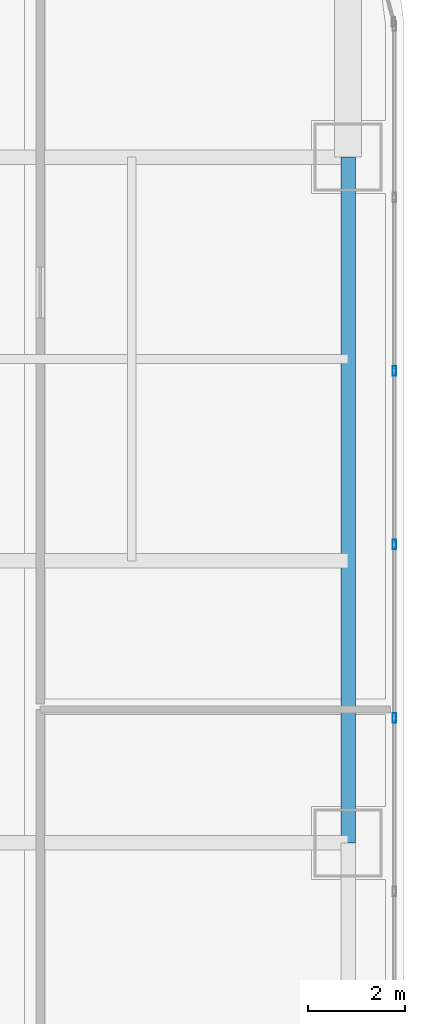
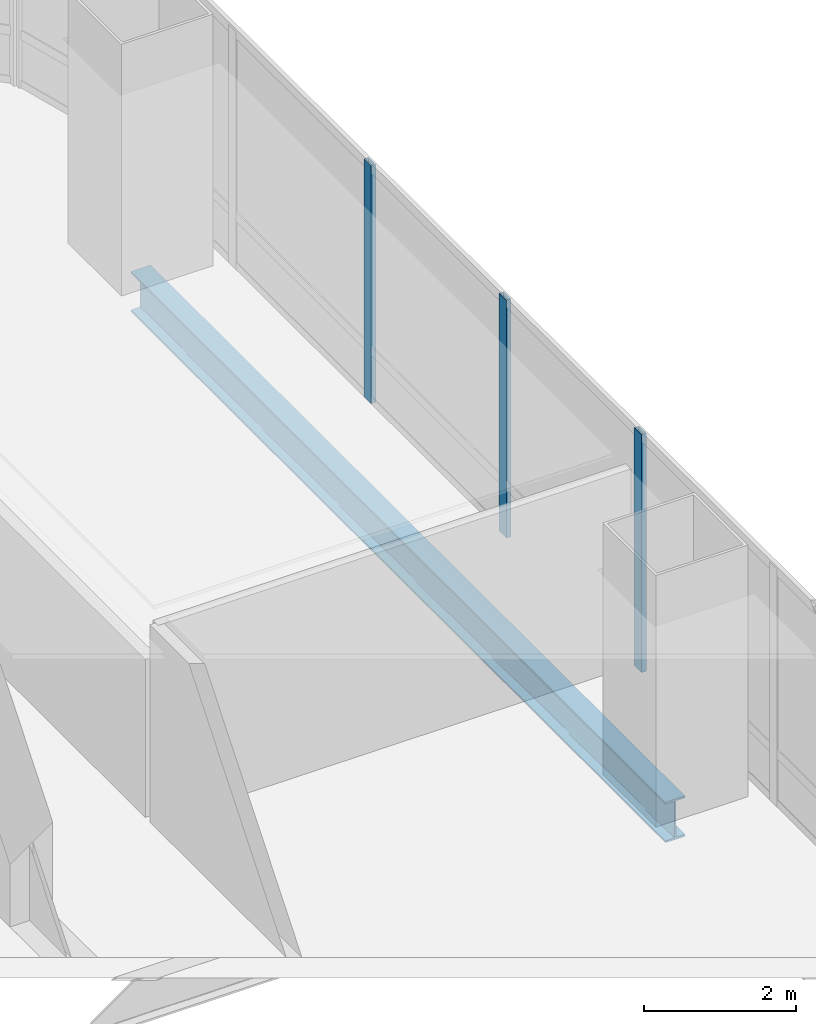
# One storey, part 18 of 37: 3 members, 1 beam, 1 element without a shape of its own.
"""IFC4 building model written with IfcOpenShell, lengths in metres."""

from ifc_helpers import new_model, si_unit, direction, frame, origin, origin_2d, place, context, subcontext, project, spatial, hollow_rectangle, i_section, extrude, material, material_profile, profile_set, type_object, element, aggregate, save


model = new_model("IFC4")

# Units and contexts
model_context = context("Model", 3, precision=1e-05, world=origin(), true_north=direction((0.0, 1.0)))
body_context = subcontext(model_context, "Body", "Model", "MODEL_VIEW")
ifc_project = project(units=[si_unit("LENGTHUNIT", "METRE"), si_unit("AREAUNIT", "SQUARE_METRE"), si_unit("VOLUMEUNIT", "CUBIC_METRE"), si_unit("PLANEANGLEUNIT", "RADIAN"), si_unit("MASSUNIT", "GRAM", prefix="KILO")], contexts=[model_context])

# Site, building, storey
site_placement = place(None, origin())
site = spatial("IfcSite", under=ifc_project, at=site_placement, CompositionType="ELEMENT")
building_placement = place(site_placement, origin())
building = spatial("IfcBuilding", under=site, at=building_placement, Name="Punatoya Terracotta Tower", CompositionType="ELEMENT")
storey_placement = place(building_placement, frame((0.0, 0.0, 164.10009765625)))
storey = spatial("IfcBuildingStorey", under=building, at=storey_placement, Name="L38", CompositionType="ELEMENT", Elevation=164.10009765625)

# Beam
ifc_material_1 = material(Name="Steel S355", Category="steel")
ifc_material_profile_1 = material_profile(ifc_material_1, i_section(OverallWidth=0.300048828125, OverallDepth=0.64990234375, WebThickness=0.01611328125, FlangeThickness=0.031005859375, FilletRadius=0.01806640625, at=origin_2d()))
ifc_profile_set_1 = profile_set([ifc_material_profile_1], Name="Steel S355")
beam_type = type_object("IfcBeamType", Name="BM-PRI-650", PredefinedType="BEAM", material=ifc_profile_set_1)
beam_placement = place(storey_placement, frame((19.10009765625, 3.39990234375, -0.545166015625), z_axis=(0.0, 1.0, 0.0), x_axis=(-1.0, 0.0, 0.0)))
element("IfcBeam", 1, at=beam_placement, inside=storey, type_object=beam_type, Name="BM-L38-RG-E3", PredefinedType="BEAM", context=body_context, shape_type="SweptSolid", body=[
    extrude(i_section(OverallWidth=0.300048828125, OverallDepth=0.64990234375, WebThickness=0.01611328125, FlangeThickness=0.031005859375, FilletRadius=0.01806640625, at=origin_2d()), origin(), (0.0, 0.0, 1.0), 14.10009765625),
])

# Curtain wall, members
ifc_material_2 = material(Name="Aluminium 6063-T6 + Double Low-E Glass", Category="aluminium")
curtain_wall_type = type_object("IfcCurtainWallType", Name="CW-M2", PredefinedType="NOTDEFINED", material=ifc_material_2)
curtain_wall_placement = place(storey_placement, origin())
curtain_wall = element("IfcCurtainWall", 2, at=curtain_wall_placement, inside=storey, type_object=curtain_wall_type, Name="L38 Curtain Wall CW-L38-E05-1", PredefinedType="NOTDEFINED")
ifc_material_3 = material(Name="Aluminium 6063-T6", Category="aluminium")
ifc_material_profile_2 = material_profile(ifc_material_3, hollow_rectangle(XDim=0.072021484375, YDim=0.195068359375, WallThickness=0.00439453125, at=origin_2d()))
ifc_profile_set_2 = profile_set([ifc_material_profile_2], Name="Aluminium 6063-T6")
member_type = type_object("IfcMemberType", Name="CW-MUL-M2", PredefinedType="MULLION", material=ifc_profile_set_2)
member_1_placement = place(storey_placement, frame((20.050048828125, 5.96728515625, 0.0), z_axis=(0.0, 0.0, 1.0), x_axis=(1.0, 0.0, 0.0)))
member_1 = element("IfcMember", 3, at=member_1_placement, type_object=member_type, Name="CW-L38-E05-1 Mullion 06", PredefinedType="MULLION", context=body_context, shape_type="SweptSolid", body=[
    extrude(hollow_rectangle(XDim=0.072021484375, YDim=0.195068359375, WallThickness=0.00439453125, at=origin_2d()), origin(), (0.0, 0.0, 1.0), 3.829833984375),
])
member_2_placement = place(storey_placement, frame((20.050048828125, 9.534912109375, 0.0), z_axis=(0.0, 0.0, 1.0), x_axis=(1.0, 0.0, 0.0)))
member_2 = element("IfcMember", 4, at=member_2_placement, type_object=member_type, Name="CW-L38-E05-1 Mullion 07", PredefinedType="MULLION", context=body_context, shape_type="SweptSolid", body=[
    extrude(hollow_rectangle(XDim=0.072021484375, YDim=0.195068359375, WallThickness=0.00439453125, at=origin_2d()), origin(), (0.0, 0.0, 1.0), 3.829833984375),
])
member_3_placement = place(storey_placement, frame((20.050048828125, 13.10205078125, 0.0), z_axis=(0.0, 0.0, 1.0), x_axis=(1.0, 0.0, 0.0)))
member_3 = element("IfcMember", 5, at=member_3_placement, type_object=member_type, Name="CW-L38-E05-1 Mullion 08", PredefinedType="MULLION", context=body_context, shape_type="SweptSolid", body=[
    extrude(hollow_rectangle(XDim=0.072021484375, YDim=0.195068359375, WallThickness=0.00439453125, at=origin_2d()), origin(), (0.0, 0.0, 1.0), 3.829833984375),
])
aggregate(curtain_wall, [member_1, member_2, member_3])

save(model, "model.ifc")
